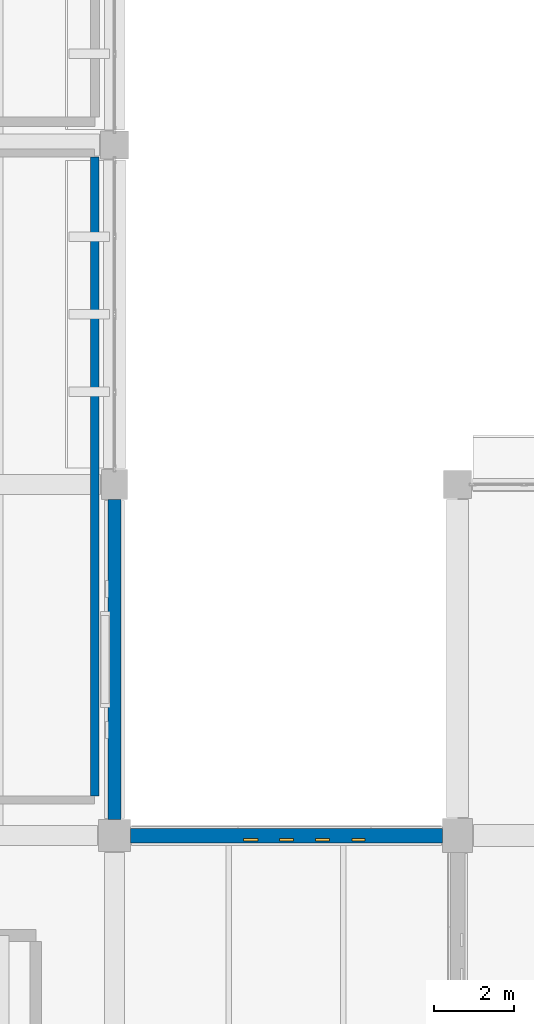
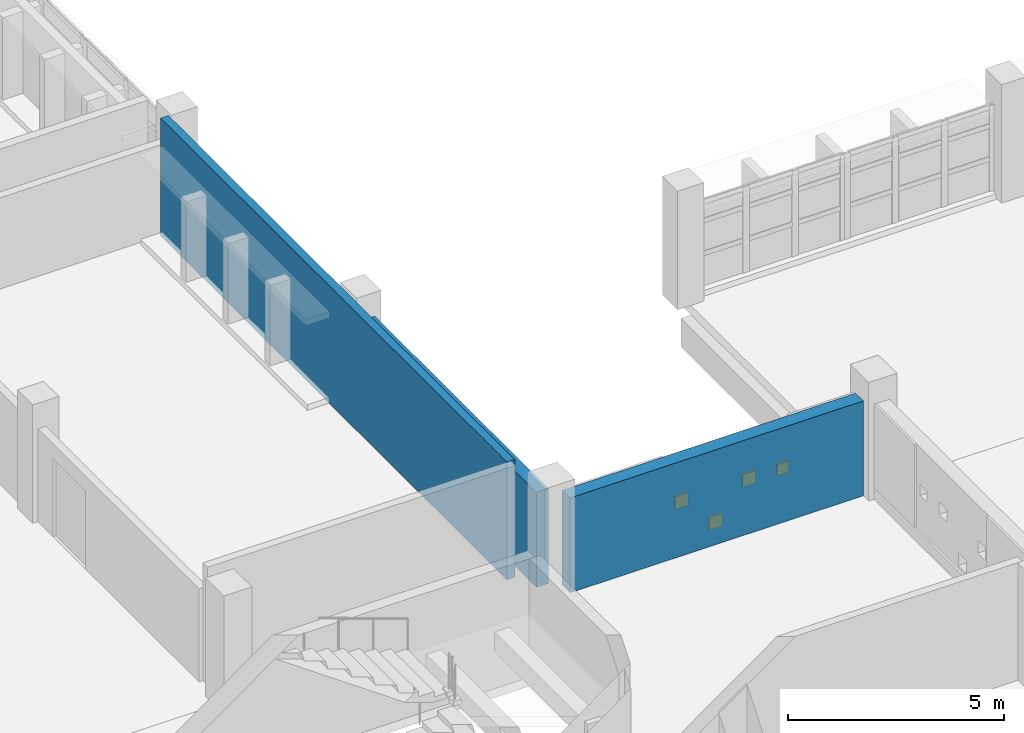
# One storey, part 60 of 75: 4 windows, 3 walls, 4 openings.
"""IFC4 building model written with IfcOpenShell, lengths in metres."""

import ifcopenshell
import ifcopenshell.guid

model = None  # the IFC model being written
_history = None  # IfcOwnerHistory: only IFC2X3 demands one
_inside = {}  # id of a spatial element -> (the spatial element, [elements in it])
_under = {}  # id of a project, library or spatial element -> (it, [spatial elements below it])
_declared = {}  # id of a project -> (the project, [libraries it declares])
_typed = {}  # id of a type object -> (the type object, [elements of that type])
_made_of = {}  # id of a material, layer set ... -> (it, [elements and type objects made of it])


def new_model(schema):
    """Start an empty IFC model of exactly this schema.

    Asked for "IFC4X3", IfcOpenShell would pick the latest addendum, in which some entities
    have other attributes; the version numbers below select the first issue.
    IFC2X3 requires an IfcOwnerHistory on every rooted entity: one is made here for all.
    """
    global model, _history
    if schema == "IFC4X3":
        model = ifcopenshell.file(schema_version=(4, 3, 0, 0))
    else:
        model = ifcopenshell.file(schema=schema)
    _inside.clear()
    _under.clear()
    _declared.clear()
    _typed.clear()
    _made_of.clear()
    _history = None
    if model.schema == "IFC2X3":
        org = make("IfcOrganization", Name="unknown")
        user = make(
            "IfcPersonAndOrganization",
            ThePerson=make("IfcPerson", FamilyName="unknown"),
            TheOrganization=org,
        )
        app = make(
            "IfcApplication",
            ApplicationDeveloper=org,
            Version="unknown",
            ApplicationFullName="unknown",
            ApplicationIdentifier="unknown",
        )
        _history = make(
            "IfcOwnerHistory",
            OwningUser=user,
            OwningApplication=app,
            ChangeAction="ADDED",
            CreationDate=0,
        )
    return model


def make(cls, **values):
    """One entity of the class cls with the attributes given. An attribute that is None is left unset."""
    return model.create_entity(
        cls, **{name: value for name, value in values.items() if value is not None}
    )


def rooted(cls, **values):
    """An entity with a GlobalId (a new one), such as an element, a storey or a relation."""
    return make(cls, GlobalId=ifcopenshell.guid.new(), OwnerHistory=_history, **values)


def si_unit(unit_type, name, prefix=None):
    """IfcSIUnit, for example si_unit("LENGTHUNIT", "METRE", prefix="MILLI")."""
    return make("IfcSIUnit", UnitType=unit_type, Prefix=prefix, Name=name)


def assignment(units):
    """IfcUnitAssignment: the units of a project."""
    return None if units is None else make("IfcUnitAssignment", Units=units)


def point(xyz):
    """IfcCartesianPoint."""
    return None if xyz is None else make("IfcCartesianPoint", Coordinates=xyz)


def direction(xyz):
    """IfcDirection."""
    return None if xyz is None else make("IfcDirection", DirectionRatios=xyz)


def frame(location, z_axis=None, x_axis=None):
    """IfcAxis2Placement3D, a coordinate frame: its origin and axes. An axis left out is left unset."""
    return make(
        "IfcAxis2Placement3D",
        Location=point(location),
        Axis=direction(z_axis),
        RefDirection=direction(x_axis),
    )


def frame_2d(location, x_axis=None):
    """IfcAxis2Placement2D, a coordinate frame in the plane: its origin and x axis."""
    return make(
        "IfcAxis2Placement2D", Location=point(location), RefDirection=direction(x_axis)
    )


def origin():
    """The frame at (0, 0, 0) with its axes left unset."""
    return frame((0.0, 0.0, 0.0))


def place(relative_to, where):
    """IfcLocalPlacement: puts the frame where relative to a parent placement (None: the world)."""
    return make(
        "IfcLocalPlacement", PlacementRelTo=relative_to, RelativePlacement=where
    )


def context(
    kind, dimensions, precision=None, world=None, true_north=None, identifier=None
):
    """IfcGeometricRepresentationContext, for example the 3D "Model" context."""
    return make(
        "IfcGeometricRepresentationContext",
        ContextIdentifier=identifier,
        ContextType=kind,
        CoordinateSpaceDimension=dimensions,
        Precision=precision,
        WorldCoordinateSystem=world,
        TrueNorth=true_north,
    )


def subcontext(parent, identifier, kind, view, scale=None):
    """IfcGeometricRepresentationSubContext, for example "Body" below "Model"."""
    return make(
        "IfcGeometricRepresentationSubContext",
        ContextIdentifier=identifier,
        ContextType=kind,
        ParentContext=parent,
        TargetScale=scale,
        TargetView=view,
    )


def project(units=None, contexts=None):
    """IfcProject with its units and contexts."""
    return rooted(
        "IfcProject",
        Name="project",
        RepresentationContexts=contexts,
        UnitsInContext=assignment(units),
    )


def spatial(cls, under=None, at=None, **own):
    """A site, building, storey or space (cls), placed at a placement, below another one or the project."""
    s = rooted(cls, ObjectPlacement=at, **own)
    if under is not None:
        _under.setdefault(under.id(), (under, []))[1].append(s)
    return s


def profile(cls, at=None, kind="AREA", **sizes):
    """A parametric profile (cls). Its sizes go by their IFC names, for example OverallWidth=200.0."""
    return make(cls, ProfileType=kind, Position=at, **sizes)


def rectangle(**sizes):
    """IfcRectangleProfileDef."""
    return profile("IfcRectangleProfileDef", **sizes)


def extrude(swept, where, along, depth):
    """IfcExtrudedAreaSolid: the profile swept, set in the frame where, extruded along a direction by depth."""
    return make(
        "IfcExtrudedAreaSolid",
        SweptArea=swept,
        Position=where,
        ExtrudedDirection=direction(along),
        Depth=depth,
    )


def shape(context_of_items, identifier, shape_type, items):
    """IfcShapeRepresentation: the items that make up one representation, for example the "Body"."""
    return make(
        "IfcShapeRepresentation",
        ContextOfItems=context_of_items,
        RepresentationIdentifier=identifier,
        RepresentationType=shape_type,
        Items=items,
    )


def material(Name=None, Category=None):
    """IfcMaterial."""
    return make("IfcMaterial", Name=Name, Category=Category)


def layer(
    of_material, thickness, ventilated=None, Name=None, Category=None, Priority=None
):
    """IfcMaterialLayer: one layer of a wall or slab, of a material (None: an air gap)."""
    return make(
        "IfcMaterialLayer",
        Material=of_material,
        LayerThickness=thickness,
        IsVentilated=ventilated,
        Name=Name,
        Category=Category,
        Priority=Priority,
    )


def layer_set(layers, Name=None):
    """IfcMaterialLayerSet."""
    return make("IfcMaterialLayerSet", MaterialLayers=layers, LayerSetName=Name)


def made_of(thing, what):
    """Note that an element or type object is made of a material, layer set ...; save() writes the relation."""
    if what is not None:
        _made_of.setdefault(what.id(), (what, []))[1].append(thing)
    return thing


def type_object(cls, material=None, **own):
    """A type object (cls), such as IfcWallType, which elements share."""
    return made_of(rooted(cls, **own), material)


def element(
    cls,
    number,
    at=None,
    inside=None,
    cuts=None,
    type_object=None,
    material=None,
    context=None,
    identifier="Body",
    shape_type=None,
    held_by="IfcProductDefinitionShape",
    body=None,
    shapes=None,
    **own,
):
    """One element of the class cls, such as IfcWall. Its Tag is "e" and its number.

    at: its placement. inside: the storey or other place that contains it. cuts: it is an
    opening in that element (IfcRelVoidsElement). A single representation is given by context,
    identifier, shape_type and body (its items); several are given by shapes. held_by: the class
    of the entity that holds the representations. save() writes the other relations.
    """
    e = rooted(cls, Tag="e%d" % number, ObjectPlacement=at, **own)
    if body is not None:
        shapes = [shape(context, identifier, shape_type, body)]
    if shapes is not None:
        e.Representation = make(held_by, Representations=shapes)
    if inside is not None:
        _inside.setdefault(inside.id(), (inside, []))[1].append(e)
    if cuts is not None:
        rooted(
            "IfcRelVoidsElement", RelatingBuildingElement=cuts, RelatedOpeningElement=e
        )
    if type_object is not None:
        _typed.setdefault(type_object.id(), (type_object, []))[1].append(e)
    return made_of(e, material)


def fill(opening, filler):
    """IfcRelFillsElement: the door or window that sits in an opening."""
    return rooted(
        "IfcRelFillsElement",
        RelatingOpeningElement=opening,
        RelatedBuildingElement=filler,
    )


def aggregate(whole, parts):
    """IfcRelAggregates: a whole, such as a stair, and the parts it consists of."""
    return rooted("IfcRelAggregates", RelatingObject=whole, RelatedObjects=parts)


def save(model, path):
    """Write the relations noted so far, then the file.

    IfcRelAggregates (storeys below a building ...), IfcRelContainedInSpatialStructure (elements
    in a storey), IfcRelDefinesByType, IfcRelAssociatesMaterial and IfcRelDeclares: one each for
    every whole, place, type object, material and project.
    """
    for whole, parts in _under.values():
        aggregate(whole, parts)
    for where, things in _inside.values():
        rooted(
            "IfcRelContainedInSpatialStructure",
            RelatedElements=things,
            RelatingStructure=where,
        )
    for kind, things in _typed.values():
        rooted("IfcRelDefinesByType", RelatedObjects=things, RelatingType=kind)
    for what, things in _made_of.values():
        rooted("IfcRelAssociatesMaterial", RelatedObjects=things, RelatingMaterial=what)
    for by, libraries in _declared.values():
        rooted("IfcRelDeclares", RelatingContext=by, RelatedDefinitions=libraries)
    model.write(path)


model = new_model("IFC4")

# Units and contexts
model_context = context("Model", 3, precision=1e-05, world=origin(), true_north=direction((0.0, 1.0)))
body_context = subcontext(model_context, "Body", "Model", "MODEL_VIEW")
ifc_project = project(units=[si_unit("LENGTHUNIT", "METRE"), si_unit("AREAUNIT", "SQUARE_METRE"), si_unit("VOLUMEUNIT", "CUBIC_METRE"), si_unit("PLANEANGLEUNIT", "RADIAN"), si_unit("MASSUNIT", "GRAM", prefix="KILO")], contexts=[model_context])

# Site, building, storey
site_placement = place(None, origin())
site = spatial("IfcSite", under=ifc_project, at=site_placement, CompositionType="ELEMENT")
building_placement = place(site_placement, origin())
building = spatial("IfcBuilding", under=site, at=building_placement, Name="Varnakota Cinema and Media Centre", CompositionType="ELEMENT")
storey_placement = place(building_placement, frame((0.0, 0.0, 8.39990234375)))
storey = spatial("IfcBuildingStorey", under=building, at=storey_placement, Name="L02", CompositionType="ELEMENT", Elevation=8.39990234375)

# Walls
ifc_material_1 = material(Name="Autoclaved aerated concrete blockwork", Category="masonry")
ifc_layer_1 = layer(ifc_material_1, 0.2099609375)
ifc_layer_set_1 = layer_set([ifc_layer_1], Name="Autoclaved aerated concrete blockwork")
wall_type_1 = type_object("IfcWallType", Name="W-ACOUST-210", PredefinedType="PARTITIONING", material=ifc_layer_set_1)
wall_1_placement = place(storey_placement, frame((33.905029296875, 52.199951171875, 0.0), z_axis=(0.0, 0.0, 1.0), x_axis=(0.0, -1.0, 0.0)))
element("IfcWall", 1, at=wall_1_placement, inside=storey, type_object=wall_type_1, Name="L02 RWALL-RM-L02-NEWS1 E wall", PredefinedType="PARTITIONING", context=body_context, shape_type="SweptSolid", body=[
    extrude(rectangle(XDim=16.0, YDim=0.2099609375, at=frame_2d((8.0, 0.0))), origin(), (0.0, 0.0, 1.0), 3.320068359375),
])
ifc_material_2 = material(Name="Deccan grey granite ashlar", Category="masonry")
ifc_layer_2 = layer(ifc_material_2, 0.320068359375)
ifc_layer_set_2 = layer_set([ifc_layer_2], Name="Deccan grey granite ashlar")
wall_type_2 = type_object("IfcWallType", Name="W-EXT-GRAN-320", PredefinedType="SOLIDWALL", material=ifc_layer_set_2)
wall_2_placement = place(storey_placement, frame((34.39990234375, 35.60009765625, 0.0), z_axis=(0.0, 0.0, 1.0), x_axis=(0.0, 1.0, 0.0)))
element("IfcWall", 2, at=wall_2_placement, inside=storey, type_object=wall_type_2, Name="L02 exterior wall V5-E-1", PredefinedType="SOLIDWALL", context=body_context, shape_type="SweptSolid", body=[
    extrude(rectangle(XDim=8.02490234375, YDim=0.320068359375, at=frame_2d((4.012451171875, 0.0))), origin(), (0.0, 0.0, 1.0), 2.675048828125),
])

# Wall, openings, windows
ifc_material_3 = material(Name="Pale Tandur limestone cladding", Category="masonry")
ifc_layer_3 = layer(ifc_material_3, 0.360107421875)
ifc_layer_set_3 = layer_set([ifc_layer_3], Name="Pale Tandur limestone cladding")
wall_type_3 = type_object("IfcWallType", Name="W-EXT-TANDUR-360", PredefinedType="SOLIDWALL", material=ifc_layer_set_3)
wall_3_placement = place(storey_placement, frame((34.800048828125, 35.199951171875, 0.0), z_axis=(0.0, 0.0, 1.0), x_axis=(1.0, 0.0, 0.0)))
wall_3 = element("IfcWall", 3, at=wall_3_placement, inside=storey, type_object=wall_type_3, Name="L02 V4 pale Tandur stone monolith wall V4-N-01", PredefinedType="SOLIDWALL", context=body_context, shape_type="SweptSolid", body=[
    extrude(rectangle(XDim=7.824951171875, YDim=0.360107421875, at=frame_2d((3.91259765625, 0.0))), origin(), (0.0, 0.0, 1.0), 2.675048828125),
])
opening_1_placement = place(wall_3_placement, frame((2.83251953125, 0.0, 1.320068359375)))
opening_1 = element("IfcOpeningElement", 4, at=opening_1_placement, cuts=wall_3, Name="Opening WP11", PredefinedType="OPENING", context=body_context, shape_type="SweptSolid", body=[
    extrude(rectangle(XDim=0.360107421875, YDim=0.360107421875, at=frame_2d((0.18017578125, 0.18017578125))), frame((0.0, 0.18017578125, 0.0), z_axis=(0.0, -1.0, 0.0), x_axis=(1.0, 0.0, 0.0)), (0.0, 0.0, 1.0), 0.360107421875),
])
opening_2_placement = place(wall_3_placement, frame((3.732421875, 0.0, 0.419921875)))
opening_2 = element("IfcOpeningElement", 5, at=opening_2_placement, cuts=wall_3, Name="Opening WP11", PredefinedType="OPENING", context=body_context, shape_type="SweptSolid", body=[
    extrude(rectangle(XDim=0.360107421875, YDim=0.360107421875, at=frame_2d((0.18017578125, 0.18017578125))), frame((0.0, 0.18017578125, 0.0), z_axis=(0.0, -1.0, 0.0), x_axis=(1.0, 0.0, 0.0)), (0.0, 0.0, 1.0), 0.360107421875),
])
opening_3_placement = place(wall_3_placement, frame((4.632568359375, 0.0, 1.320068359375)))
opening_3 = element("IfcOpeningElement", 6, at=opening_3_placement, cuts=wall_3, Name="Opening WP11", PredefinedType="OPENING", context=body_context, shape_type="SweptSolid", body=[
    extrude(rectangle(XDim=0.360107421875, YDim=0.360107421875, at=frame_2d((0.18017578125, 0.18017578125))), frame((0.0, 0.18017578125, 0.0), z_axis=(0.0, -1.0, 0.0), x_axis=(1.0, 0.0, 0.0)), (0.0, 0.0, 1.0), 0.360107421875),
])
opening_4_placement = place(wall_3_placement, frame((5.552490234375, 0.0, 1.320068359375)))
opening_4 = element("IfcOpeningElement", 7, at=opening_4_placement, cuts=wall_3, Name="Opening WP13", PredefinedType="OPENING", context=body_context, shape_type="SweptSolid", body=[
    extrude(rectangle(XDim=0.320068359375, YDim=0.320068359375, at=frame_2d((0.16015625, 0.16015625))), frame((0.0, 0.18017578125, 0.0), z_axis=(0.0, -1.0, 0.0), x_axis=(1.0, 0.0, 0.0)), (0.0, 0.0, 1.0), 0.360107421875),
])
ifc_material_4 = material(Name="Laminated solar-control double glazing", Category="glass")
window_type_1 = type_object("IfcWindowType", Name="WIN-PIERCE-11", PartitioningType="SINGLE_PANEL", PredefinedType="WINDOW", material=ifc_material_4)
window_1_placement = place(opening_1_placement, origin())
window_1 = element("IfcWindow", 8, at=window_1_placement, inside=storey, type_object=window_type_1, Name="L02 window WP11", OverallHeight=0.360107421875, OverallWidth=0.360107421875, PartitioningType="SINGLE_PANEL", PredefinedType="WINDOW", context=body_context, shape_type="SweptSolid", body=[
    extrude(rectangle(XDim=0.360107421875, YDim=0.360107421875, at=frame_2d((0.18017578125, 0.18017578125))), frame((0.0, -0.070068359375, 0.0), z_axis=(0.0, -1.0, 0.0), x_axis=(1.0, 0.0, 0.0)), (0.0, 0.0, 1.0), 0.06005859375),
])
fill(opening_1, window_1)
window_2_placement = place(opening_2_placement, origin())
window_2 = element("IfcWindow", 9, at=window_2_placement, inside=storey, type_object=window_type_1, Name="L02 window WP11", OverallHeight=0.360107421875, OverallWidth=0.360107421875, PartitioningType="SINGLE_PANEL", PredefinedType="WINDOW", context=body_context, shape_type="SweptSolid", body=[
    extrude(rectangle(XDim=0.360107421875, YDim=0.360107421875, at=frame_2d((0.18017578125, 0.18017578125))), frame((0.0, -0.070068359375, 0.0), z_axis=(0.0, -1.0, 0.0), x_axis=(1.0, 0.0, 0.0)), (0.0, 0.0, 1.0), 0.06005859375),
])
fill(opening_2, window_2)
window_3_placement = place(opening_3_placement, origin())
window_3 = element("IfcWindow", 10, at=window_3_placement, inside=storey, type_object=window_type_1, Name="L02 window WP11", OverallHeight=0.360107421875, OverallWidth=0.360107421875, PartitioningType="SINGLE_PANEL", PredefinedType="WINDOW", context=body_context, shape_type="SweptSolid", body=[
    extrude(rectangle(XDim=0.360107421875, YDim=0.360107421875, at=frame_2d((0.18017578125, 0.18017578125))), frame((0.0, -0.070068359375, 0.0), z_axis=(0.0, -1.0, 0.0), x_axis=(1.0, 0.0, 0.0)), (0.0, 0.0, 1.0), 0.06005859375),
])
fill(opening_3, window_3)
ifc_material_5 = material(Name="Laminated solar-control double glazing", Category="glass")
window_type_2 = type_object("IfcWindowType", Name="WIN-PIERCE-13", PartitioningType="SINGLE_PANEL", PredefinedType="WINDOW", material=ifc_material_5)
window_4_placement = place(opening_4_placement, origin())
window_4 = element("IfcWindow", 11, at=window_4_placement, inside=storey, type_object=window_type_2, Name="L02 window WP13", OverallHeight=0.320068359375, OverallWidth=0.320068359375, PartitioningType="SINGLE_PANEL", PredefinedType="WINDOW", context=body_context, shape_type="SweptSolid", body=[
    extrude(rectangle(XDim=0.320068359375, YDim=0.320068359375, at=frame_2d((0.16015625, 0.16015625))), frame((0.0, -0.070068359375, 0.0), z_axis=(0.0, -1.0, 0.0), x_axis=(1.0, 0.0, 0.0)), (0.0, 0.0, 1.0), 0.06005859375),
])
fill(opening_4, window_4)

save(model, "model.ifc")
